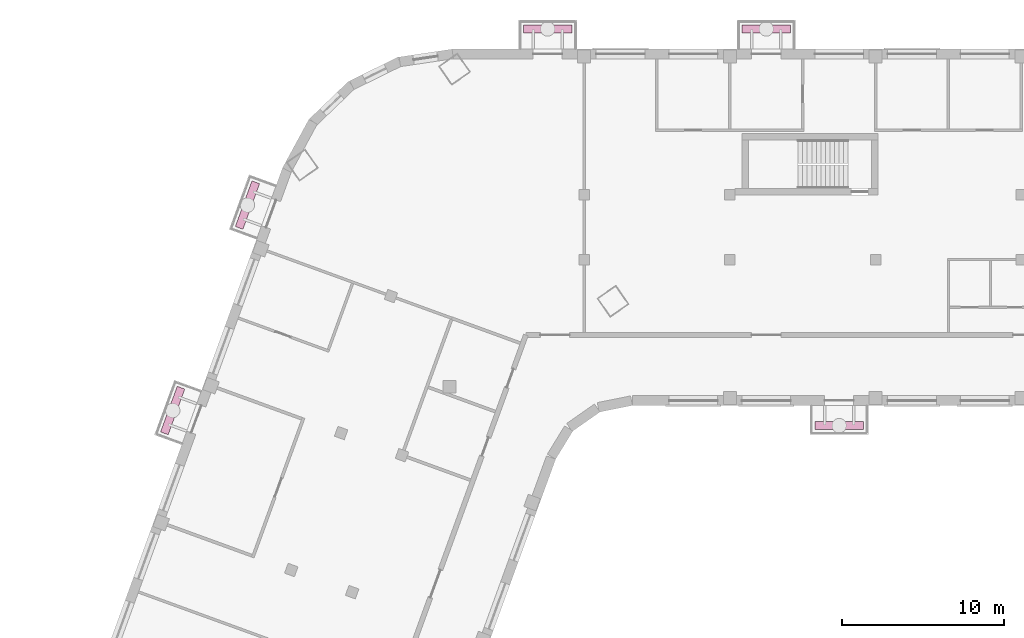
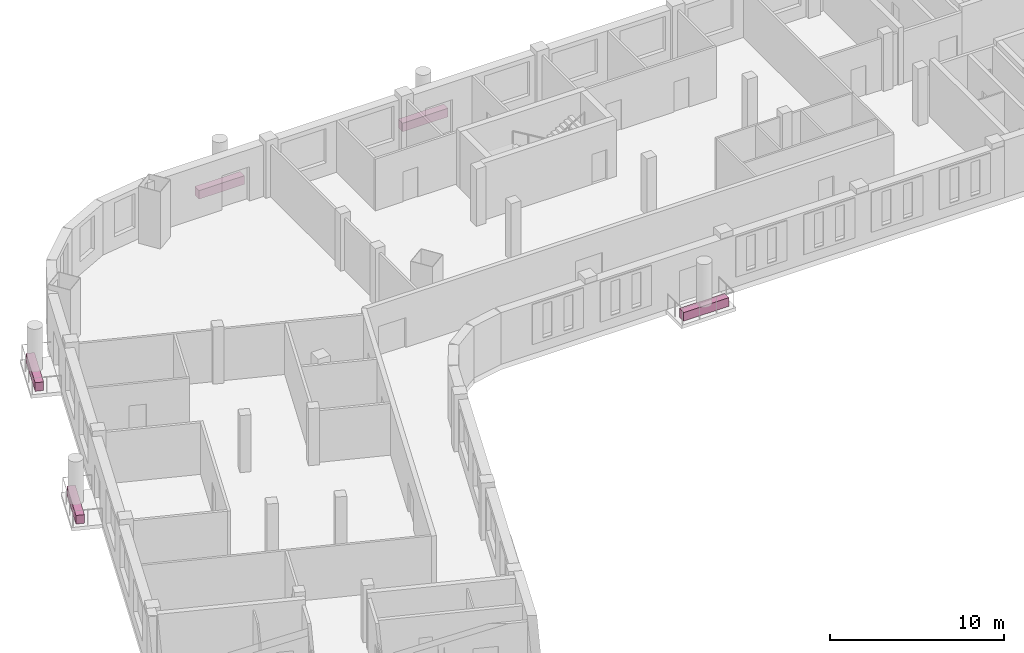
# One storey, part 9 of 10: 5 furniture elements.
"""IFC4 building model written with IfcOpenShell, lengths in metres."""

from ifc_helpers import new_model, si_unit, direction, frame, origin, origin_2d, place, context, subcontext, project, spatial, rectangle, extrude, element, save


model = new_model("IFC4")

# Units and contexts
model_context = context("Model", 3, precision=1e-05, world=origin(), true_north=direction((0.0, 1.0)))
body_context = subcontext(model_context, "Body", "Model", "MODEL_VIEW")
ifc_project = project(units=[si_unit("LENGTHUNIT", "METRE"), si_unit("AREAUNIT", "SQUARE_METRE"), si_unit("VOLUMEUNIT", "CUBIC_METRE"), si_unit("PLANEANGLEUNIT", "RADIAN"), si_unit("MASSUNIT", "GRAM", prefix="KILO")], contexts=[model_context])

# Site, building, storey
site_placement = place(None, origin())
site = spatial("IfcSite", under=ifc_project, at=site_placement, CompositionType="ELEMENT")
building_placement = place(site_placement, origin())
building = spatial("IfcBuilding", under=site, at=building_placement, Name="Skarvind Civic Tower", CompositionType="ELEMENT")
storey_placement = place(building_placement, frame((0.0, 0.0, 166.5)))
storey = spatial("IfcBuildingStorey", under=building, at=storey_placement, Name="L39", CompositionType="ELEMENT", Elevation=166.5)

# Furniture
for number, where, z_axis, x_axis, name in (
    (1, (70.0, 115.75, 0.0), (0.0, 0.0, 1.0), (-1.0, 0.0, 0.0), "TREE BALCONY PLANTER"),
    (2, (52.0, 140.25, 0.0), (0.0, 0.0, 1.0), (1.0, 0.0, 0.0), "TREE BALCONY PLANTER"),
    (3, (65.5, 140.25, 0.0), (0.0, 0.0, 1.0), (1.0, 0.0, 0.0), "TREE BALCONY PLANTER"),
    (4, (28.845458984375, 116.684814453125, 0.0), (0.0, 0.0, 1.0), (0.342020143326, 0.939692620786, 0.0), "TREE BALCONY PLANTER"),
    (5, (33.462646484375, 129.37060546875, 0.0), (0.0, 0.0, 1.0), (0.342020143326, 0.939692620786, 0.0), "TREE BALCONY PLANTER"),
):
    element("IfcFurniture", number, at=place(storey_placement, frame(where, z_axis=z_axis, x_axis=x_axis)), inside=storey, Name=name, ObjectType="PLANTER", PredefinedType="USERDEFINED", context=body_context, shape_type="SweptSolid", body=[
        extrude(rectangle(XDim=3.0, YDim=0.5, at=origin_2d()), origin(), (0.0, 0.0, 1.0), 0.60009765625),
    ])

save(model, "model.ifc")
